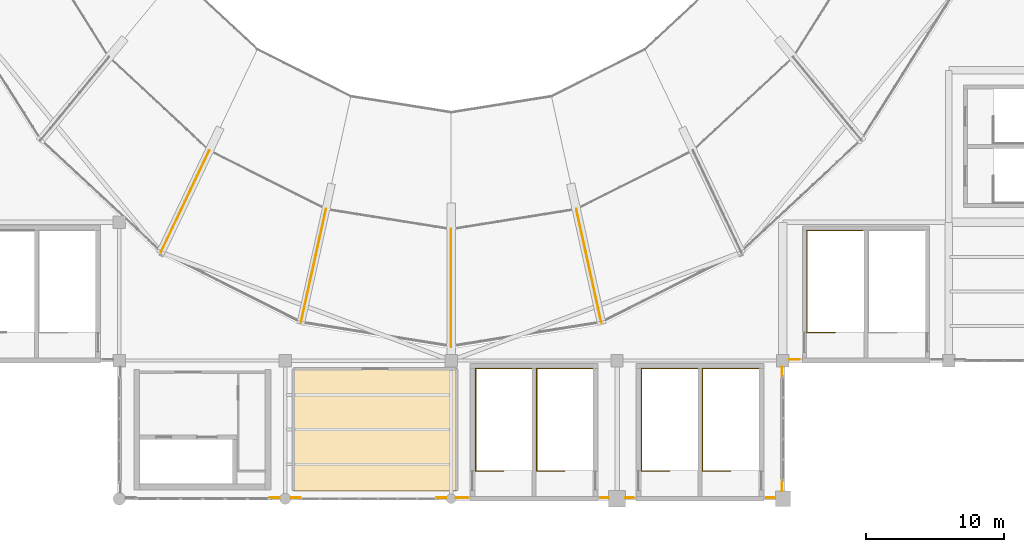
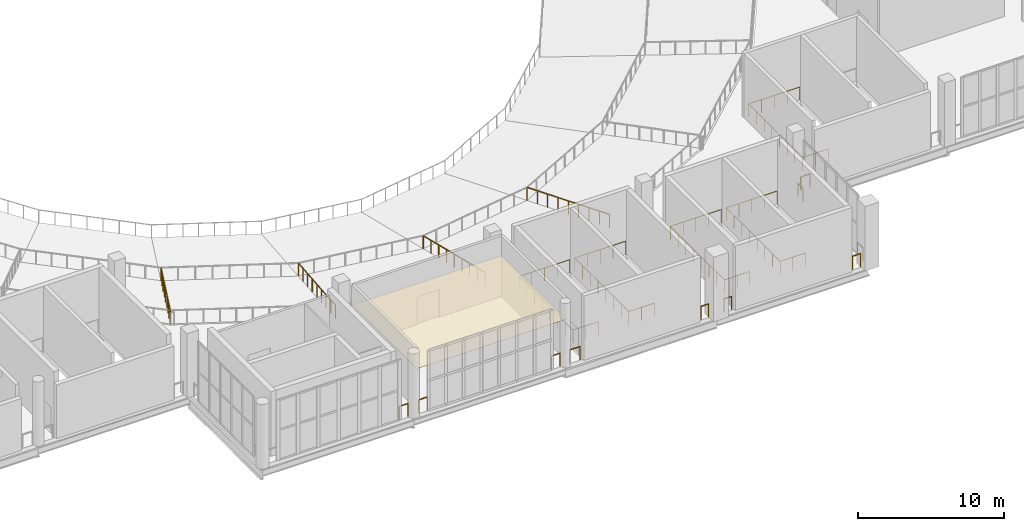
# One storey, part 65 of 74: 19 railings, 1 covering.
"""IFC4 building model written with IfcOpenShell, lengths in metres."""

from ifc_helpers import new_model, si_unit, direction, frame, origin, origin_2d, place, context, subcontext, project, spatial, polyline, circle, outline, extrude, material, layer, layer_set, type_object, element, save


model = new_model("IFC4")

# Units and contexts
model_context = context("Model", 3, precision=1e-05, world=origin(), true_north=direction((0.0, 1.0)))
body_context = subcontext(model_context, "Body", "Model", "MODEL_VIEW")
ifc_project = project(units=[si_unit("LENGTHUNIT", "METRE"), si_unit("AREAUNIT", "SQUARE_METRE"), si_unit("VOLUMEUNIT", "CUBIC_METRE"), si_unit("PLANEANGLEUNIT", "RADIAN"), si_unit("MASSUNIT", "GRAM", prefix="KILO")], contexts=[model_context])

# Site, building, storey
site_placement = place(None, origin())
site = spatial("IfcSite", under=ifc_project, at=site_placement, CompositionType="ELEMENT")
building_placement = place(site_placement, origin())
building = spatial("IfcBuilding", under=site, at=building_placement, Name="Brinegate Civic Arena", CompositionType="ELEMENT")
storey_placement = place(building_placement, frame((0.0, 0.0, 19.199951171875)))
storey = spatial("IfcBuildingStorey", under=building, at=storey_placement, Name="L04", CompositionType="ELEMENT", Elevation=19.199951171875)

# Covering
ifc_material_1 = material(Name="Acoustic perforated aluminium ceiling", Category="aluminium")
ifc_layer = layer(ifc_material_1, 0.02490234375, Name="Acoustic perforated aluminium ceiling")
ifc_layer_set = layer_set([ifc_layer], Name="Acoustic perforated aluminium ceiling")
covering_type = type_object("IfcCoveringType", Name="CEILING-ACOUSTIC-25", PredefinedType="CEILING", material=ifc_layer_set)
covering_placement = place(storey_placement, frame((0.0, 0.0, 3.324951171875)))
element("IfcCovering", 1, at=covering_placement, inside=storey, type_object=covering_type, Name="Acoustic Ceiling L04-003", PredefinedType="CEILING", context=body_context, shape_type="SweptSolid", body=[
    extrude(outline(polyline([(108.404052734375, 9.419921875), (108.406005859375, 9.4189453125), (108.407958984375, 9.41796875), (108.408935546875, 9.41796875), (108.410888671875, 9.4169921875), (108.4130859375, 9.4150390625), (108.4140625, 9.4140625), (108.4150390625, 9.4130859375), (108.4169921875, 9.410888671875), (108.41796875, 9.408935546875), (108.41796875, 9.407958984375), (108.4189453125, 9.406005859375), (108.419921875, 9.404052734375), (108.419921875, 9.402099609375), (108.419921875, 9.39990234375), (108.419921875, 0.60009765625), (108.419921875, 0.597900390625), (108.419921875, 0.595947265625), (108.4189453125, 0.593994140625), (108.41796875, 0.592041015625), (108.41796875, 0.591064453125), (108.4169921875, 0.589111328125), (108.4150390625, 0.5869140625), (108.4140625, 0.5859375), (108.4130859375, 0.5849609375), (108.410888671875, 0.5830078125), (108.408935546875, 0.58203125), (108.407958984375, 0.58203125), (108.406005859375, 0.5810546875), (108.404052734375, 0.580078125), (108.402099609375, 0.580078125), (108.39990234375, 0.580078125), (96.60009765625, 0.580078125), (96.597900390625, 0.580078125), (96.595947265625, 0.580078125), (96.593994140625, 0.5810546875), (96.592041015625, 0.58203125), (96.591064453125, 0.58203125), (96.589111328125, 0.5830078125), (96.5869140625, 0.5849609375), (96.5859375, 0.5859375), (96.5849609375, 0.5869140625), (96.5830078125, 0.589111328125), (96.58203125, 0.591064453125), (96.58203125, 0.592041015625), (96.5810546875, 0.593994140625), (96.580078125, 0.595947265625), (96.580078125, 0.597900390625), (96.580078125, 0.60009765625), (96.580078125, 9.39990234375), (96.580078125, 9.402099609375), (96.580078125, 9.404052734375), (96.5810546875, 9.406005859375), (96.58203125, 9.407958984375), (96.58203125, 9.408935546875), (96.5830078125, 9.410888671875), (96.5849609375, 9.4130859375), (96.5859375, 9.4140625), (96.5869140625, 9.4150390625), (96.589111328125, 9.4169921875), (96.591064453125, 9.41796875), (96.592041015625, 9.41796875), (96.593994140625, 9.4189453125), (96.595947265625, 9.419921875), (96.597900390625, 9.419921875), (96.60009765625, 9.419921875), (108.39990234375, 9.419921875), (108.402099609375, 9.419921875), (108.404052734375, 9.419921875)])), origin(), (0.0, 0.0, 1.0), 0.025146484375),
])

# Railings
ifc_material_2 = material(Name="Architectural stainless steel balustrade", Category="steel")
railing_type_1 = type_object("IfcRailingType", Name="RAIL-BOWL-BARRIER-1100", PredefinedType="GUARDRAIL", material=ifc_material_2)
railing_1_placement = place(storey_placement, frame((90.5, 25.194091796875, -2.074951171875)))
element("IfcRailing", 2, at=railing_1_placement, inside=storey, type_object=railing_type_1, Name="Upper Bowl Radial Aisle Guard RAD-17", PredefinedType="GUARDRAIL", context=body_context, shape_type="SweptSolid", body=[
    extrude(circle(Radius=0.02392578125, at=origin_2d()), frame((-0.000732421875, -0.001220703125, 1.096435546875), z_axis=(-0.416133336918, -0.8751978405, 0.246701815741), x_axis=(0.903111725779, -0.429405648263, 0.0)), (0.0, 0.0, 1.0), 8.40771484375),
    extrude(circle(Radius=0.02099609375, at=origin_2d()), origin(), (0.0, 0.0, 1.0), 1.070068359375),
    extrude(circle(Radius=0.02099609375, at=origin_2d()), frame((-0.4375, -0.920166015625, 0.25927734375)), (0.0, 0.0, 1.0), 1.070068359375),
    extrude(circle(Radius=0.02099609375, at=origin_2d()), frame((-0.875, -1.84033203125, 0.518798828125)), (0.0, 0.0, 1.0), 1.070068359375),
    extrude(circle(Radius=0.02099609375, at=origin_2d()), frame((-1.3125, -2.760498046875, 0.778076171875)), (0.0, 0.0, 1.0), 1.070068359375),
    extrude(circle(Radius=0.02099609375, at=origin_2d()), frame((-1.75, -3.6806640625, 1.03759765625)), (0.0, 0.0, 1.0), 1.070068359375),
    extrude(circle(Radius=0.02099609375, at=origin_2d()), frame((-2.1875, -4.6005859375, 1.296875)), (0.0, 0.0, 1.0), 1.070068359375),
    extrude(circle(Radius=0.02099609375, at=origin_2d()), frame((-2.625, -5.520751953125, 1.55615234375)), (0.0, 0.0, 1.0), 1.070068359375),
    extrude(circle(Radius=0.02099609375, at=origin_2d()), frame((-3.0625, -6.44091796875, 1.815673828125)), (0.0, 0.0, 1.0), 1.070068359375),
    extrude(circle(Radius=0.02099609375, at=origin_2d()), frame((-3.5, -7.361083984375, 2.074951171875)), (0.0, 0.0, 1.0), 1.070068359375),
])
railing_2_placement = place(storey_placement, frame((98.94091796875, 20.947998046875, -2.074951171875)))
element("IfcRailing", 3, at=railing_2_placement, inside=storey, type_object=railing_type_1, Name="Upper Bowl Radial Aisle Guard RAD-18", PredefinedType="GUARDRAIL", context=body_context, shape_type="SweptSolid", body=[
    extrude(circle(Radius=0.02392578125, at=origin_2d()), frame((-0.000244140625, -0.00146484375, 1.096435546875), z_axis=(-0.209136041651, -0.948075870674, 0.239612728228), x_axis=(0.976523414143, -0.215411284826, 0.0)), (0.0, 0.0, 1.0), 8.656494140625),
    extrude(circle(Radius=0.02099609375, at=origin_2d()), origin(), (0.0, 0.0, 1.0), 1.070068359375),
    extrude(circle(Radius=0.02099609375, at=origin_2d()), frame((-0.226318359375, -1.0263671875, 0.25927734375)), (0.0, 0.0, 1.0), 1.070068359375),
    extrude(circle(Radius=0.02099609375, at=origin_2d()), frame((-0.45263671875, -2.052490234375, 0.518798828125)), (0.0, 0.0, 1.0), 1.070068359375),
    extrude(circle(Radius=0.02099609375, at=origin_2d()), frame((-0.67919921875, -3.07861328125, 0.778076171875)), (0.0, 0.0, 1.0), 1.070068359375),
    extrude(circle(Radius=0.02099609375, at=origin_2d()), frame((-0.905517578125, -4.10498046875, 1.03759765625)), (0.0, 0.0, 1.0), 1.070068359375),
    extrude(circle(Radius=0.02099609375, at=origin_2d()), frame((-1.1318359375, -5.13134765625, 1.296875)), (0.0, 0.0, 1.0), 1.070068359375),
    extrude(circle(Radius=0.02099609375, at=origin_2d()), frame((-1.3583984375, -6.157470703125, 1.55615234375)), (0.0, 0.0, 1.0), 1.070068359375),
    extrude(circle(Radius=0.02099609375, at=origin_2d()), frame((-1.584716796875, -7.18359375, 1.815673828125)), (0.0, 0.0, 1.0), 1.070068359375),
    extrude(circle(Radius=0.02099609375, at=origin_2d()), frame((-1.81103515625, -8.2099609375, 2.074951171875)), (0.0, 0.0, 1.0), 1.070068359375),
])
railing_3_placement = place(storey_placement, frame((108.0, 19.5, -2.074951171875)))
element("IfcRailing", 4, at=railing_3_placement, inside=storey, type_object=railing_type_1, Name="Upper Bowl Radial Aisle Guard RAD-19", PredefinedType="GUARDRAIL", context=body_context, shape_type="SweptSolid", body=[
    extrude(circle(Radius=0.02392578125, at=origin_2d()), frame((0.0, -0.00146484375, 1.096435546875), z_axis=(0.0, -0.971473475219, 0.237148238335), x_axis=(1.0, 0.0, 0.0)), (0.0, 0.0, 1.0), 8.74658203125),
    extrude(circle(Radius=0.02099609375, at=origin_2d()), origin(), (0.0, 0.0, 1.0), 1.070068359375),
    extrude(circle(Radius=0.02099609375, at=origin_2d()), frame((0.0, -1.0625, 0.25927734375)), (0.0, 0.0, 1.0), 1.070068359375),
    extrude(circle(Radius=0.02099609375, at=origin_2d()), frame((0.0, -2.125, 0.518798828125)), (0.0, 0.0, 1.0), 1.070068359375),
    extrude(circle(Radius=0.02099609375, at=origin_2d()), frame((0.0, -3.1875, 0.778076171875)), (0.0, 0.0, 1.0), 1.070068359375),
    extrude(circle(Radius=0.02099609375, at=origin_2d()), frame((0.0, -4.25, 1.03759765625)), (0.0, 0.0, 1.0), 1.070068359375),
    extrude(circle(Radius=0.02099609375, at=origin_2d()), frame((0.0, -5.3125, 1.296875)), (0.0, 0.0, 1.0), 1.070068359375),
    extrude(circle(Radius=0.02099609375, at=origin_2d()), frame((0.0, -6.375, 1.55615234375)), (0.0, 0.0, 1.0), 1.070068359375),
    extrude(circle(Radius=0.02099609375, at=origin_2d()), frame((0.0, -7.4375, 1.815673828125)), (0.0, 0.0, 1.0), 1.070068359375),
    extrude(circle(Radius=0.02099609375, at=origin_2d()), frame((0.0, -8.5, 2.074951171875)), (0.0, 0.0, 1.0), 1.070068359375),
])
railing_4_placement = place(storey_placement, frame((117.05908203125, 20.947998046875, -2.074951171875)))
element("IfcRailing", 5, at=railing_4_placement, inside=storey, type_object=railing_type_1, Name="Upper Bowl Radial Aisle Guard RAD-20", PredefinedType="GUARDRAIL", context=body_context, shape_type="SweptSolid", body=[
    extrude(circle(Radius=0.02392578125, at=origin_2d()), frame((0.000244140625, -0.00146484375, 1.096435546875), z_axis=(0.209136041651, -0.948075870674, 0.239612728228), x_axis=(0.976523414143, 0.215411284826, 0.0)), (0.0, 0.0, 1.0), 8.656494140625),
    extrude(circle(Radius=0.02099609375, at=origin_2d()), origin(), (0.0, 0.0, 1.0), 1.070068359375),
    extrude(circle(Radius=0.02099609375, at=origin_2d()), frame((0.226318359375, -1.0263671875, 0.25927734375)), (0.0, 0.0, 1.0), 1.070068359375),
    extrude(circle(Radius=0.02099609375, at=origin_2d()), frame((0.45263671875, -2.052490234375, 0.518798828125)), (0.0, 0.0, 1.0), 1.070068359375),
    extrude(circle(Radius=0.02099609375, at=origin_2d()), frame((0.67919921875, -3.07861328125, 0.778076171875)), (0.0, 0.0, 1.0), 1.070068359375),
    extrude(circle(Radius=0.02099609375, at=origin_2d()), frame((0.905517578125, -4.10498046875, 1.03759765625)), (0.0, 0.0, 1.0), 1.070068359375),
    extrude(circle(Radius=0.02099609375, at=origin_2d()), frame((1.1318359375, -5.13134765625, 1.296875)), (0.0, 0.0, 1.0), 1.070068359375),
    extrude(circle(Radius=0.02099609375, at=origin_2d()), frame((1.3583984375, -6.157470703125, 1.55615234375)), (0.0, 0.0, 1.0), 1.070068359375),
    extrude(circle(Radius=0.02099609375, at=origin_2d()), frame((1.584716796875, -7.18359375, 1.815673828125)), (0.0, 0.0, 1.0), 1.070068359375),
    extrude(circle(Radius=0.02099609375, at=origin_2d()), frame((1.81103515625, -8.2099609375, 2.074951171875)), (0.0, 0.0, 1.0), 1.070068359375),
])
railing_type_2 = type_object("IfcRailingType", Name="RAIL-STAIR-GUARD-1100", PredefinedType="GUARDRAIL", material=ifc_material_2)
railing_5_placement = place(storey_placement, frame((123.7900390625, 2.02001953125, 0.0)))
element("IfcRailing", 6, at=railing_5_placement, inside=storey, type_object=railing_type_2, Name="Top Stairwell Edge Guard ST-04A L04", PredefinedType="GUARDRAIL", context=body_context, shape_type="SweptSolid", body=[
    extrude(circle(Radius=0.02392578125, at=origin_2d()), frame((-0.00146484375, 0.0, 1.09619140625), z_axis=(-1.0, 0.0, 0.0), x_axis=(0.0, -1.0, 0.0)), (0.0, 0.0, 1.0), 2.01220703125),
    extrude(circle(Radius=0.02392578125, at=origin_2d()), frame((-2.01513671875, 0.00146484375, 1.09619140625), z_axis=(0.0, 1.0, 0.0), x_axis=(-1.0, 0.0, 0.0)), (0.0, 0.0, 1.0), 7.39697265625),
    extrude(circle(Radius=0.02392578125, at=origin_2d()), frame((-2.013671875, 7.39990234375, 1.09619140625), z_axis=(1.0, 0.0, 0.0), x_axis=(0.0, 1.0, 0.0)), (0.0, 0.0, 1.0), 4.027099609375),
    extrude(circle(Radius=0.02099609375, at=origin_2d()), origin(), (0.0, 0.0, 1.0), 1.070068359375),
    extrude(circle(Radius=0.02099609375, at=origin_2d()), frame((-1.007568359375, 0.0, 0.0)), (0.0, 0.0, 1.0), 1.070068359375),
    extrude(circle(Radius=0.02099609375, at=origin_2d()), frame((-2.01513671875, 0.0, 0.0)), (0.0, 0.0, 1.0), 1.070068359375),
    extrude(circle(Radius=0.02099609375, at=origin_2d()), frame((-2.01513671875, 1.05712890625, 0.0)), (0.0, 0.0, 1.0), 1.070068359375),
    extrude(circle(Radius=0.02099609375, at=origin_2d()), frame((-2.01513671875, 2.1142578125, 0.0)), (0.0, 0.0, 1.0), 1.070068359375),
    extrude(circle(Radius=0.02099609375, at=origin_2d()), frame((-2.01513671875, 3.17138671875, 0.0)), (0.0, 0.0, 1.0), 1.070068359375),
    extrude(circle(Radius=0.02099609375, at=origin_2d()), frame((-2.01513671875, 4.228515625, 0.0)), (0.0, 0.0, 1.0), 1.070068359375),
    extrude(circle(Radius=0.02099609375, at=origin_2d()), frame((-2.01513671875, 5.28564453125, 0.0)), (0.0, 0.0, 1.0), 1.070068359375),
    extrude(circle(Radius=0.02099609375, at=origin_2d()), frame((-2.01513671875, 6.3427734375, 0.0)), (0.0, 0.0, 1.0), 1.070068359375),
    extrude(circle(Radius=0.02099609375, at=origin_2d()), frame((-2.01513671875, 7.39990234375, 0.0)), (0.0, 0.0, 1.0), 1.070068359375),
    extrude(circle(Radius=0.02099609375, at=origin_2d()), frame((-1.007568359375, 7.39990234375, 0.0)), (0.0, 0.0, 1.0), 1.070068359375),
    extrude(circle(Radius=0.02099609375, at=origin_2d()), frame((0.0, 7.39990234375, 0.0)), (0.0, 0.0, 1.0), 1.070068359375),
    extrude(circle(Radius=0.02099609375, at=origin_2d()), frame((1.00732421875, 7.39990234375, 0.0)), (0.0, 0.0, 1.0), 1.070068359375),
    extrude(circle(Radius=0.02099609375, at=origin_2d()), frame((2.014892578125, 7.39990234375, 0.0)), (0.0, 0.0, 1.0), 1.070068359375),
])
railing_6_placement = place(storey_placement, frame((128.2099609375, 2.02001953125, 0.0)))
element("IfcRailing", 7, at=railing_6_placement, inside=storey, type_object=railing_type_2, Name="Top Stairwell Edge Guard ST-04B L04", PredefinedType="GUARDRAIL", context=body_context, shape_type="SweptSolid", body=[
    extrude(circle(Radius=0.02392578125, at=origin_2d()), frame((-0.00146484375, 0.0, 1.09619140625), z_axis=(-1.0, 0.0, 0.0), x_axis=(0.0, -1.0, 0.0)), (0.0, 0.0, 1.0), 2.011962890625),
    extrude(circle(Radius=0.02392578125, at=origin_2d()), frame((-2.014892578125, 0.00146484375, 1.09619140625), z_axis=(0.0, 1.0, 0.0), x_axis=(-1.0, 0.0, 0.0)), (0.0, 0.0, 1.0), 7.39697265625),
    extrude(circle(Radius=0.02392578125, at=origin_2d()), frame((-2.013427734375, 7.39990234375, 1.09619140625), z_axis=(1.0, 0.0, 0.0), x_axis=(0.0, 1.0, 0.0)), (0.0, 0.0, 1.0), 4.027099609375),
    extrude(circle(Radius=0.02099609375, at=origin_2d()), origin(), (0.0, 0.0, 1.0), 1.070068359375),
    extrude(circle(Radius=0.02099609375, at=origin_2d()), frame((-1.00732421875, 0.0, 0.0)), (0.0, 0.0, 1.0), 1.070068359375),
    extrude(circle(Radius=0.02099609375, at=origin_2d()), frame((-2.014892578125, 0.0, 0.0)), (0.0, 0.0, 1.0), 1.070068359375),
    extrude(circle(Radius=0.02099609375, at=origin_2d()), frame((-2.014892578125, 1.05712890625, 0.0)), (0.0, 0.0, 1.0), 1.070068359375),
    extrude(circle(Radius=0.02099609375, at=origin_2d()), frame((-2.014892578125, 2.1142578125, 0.0)), (0.0, 0.0, 1.0), 1.070068359375),
    extrude(circle(Radius=0.02099609375, at=origin_2d()), frame((-2.014892578125, 3.17138671875, 0.0)), (0.0, 0.0, 1.0), 1.070068359375),
    extrude(circle(Radius=0.02099609375, at=origin_2d()), frame((-2.014892578125, 4.228515625, 0.0)), (0.0, 0.0, 1.0), 1.070068359375),
    extrude(circle(Radius=0.02099609375, at=origin_2d()), frame((-2.014892578125, 5.28564453125, 0.0)), (0.0, 0.0, 1.0), 1.070068359375),
    extrude(circle(Radius=0.02099609375, at=origin_2d()), frame((-2.014892578125, 6.3427734375, 0.0)), (0.0, 0.0, 1.0), 1.070068359375),
    extrude(circle(Radius=0.02099609375, at=origin_2d()), frame((-2.014892578125, 7.39990234375, 0.0)), (0.0, 0.0, 1.0), 1.070068359375),
    extrude(circle(Radius=0.02099609375, at=origin_2d()), frame((-1.00732421875, 7.39990234375, 0.0)), (0.0, 0.0, 1.0), 1.070068359375),
    extrude(circle(Radius=0.02099609375, at=origin_2d()), frame((0.0, 7.39990234375, 0.0)), (0.0, 0.0, 1.0), 1.070068359375),
    extrude(circle(Radius=0.02099609375, at=origin_2d()), frame((1.007568359375, 7.39990234375, 0.0)), (0.0, 0.0, 1.0), 1.070068359375),
    extrude(circle(Radius=0.02099609375, at=origin_2d()), frame((2.01513671875, 7.39990234375, 0.0)), (0.0, 0.0, 1.0), 1.070068359375),
])
railing_7_placement = place(storey_placement, frame((135.77490234375, 12.02001953125, 0.0)))
element("IfcRailing", 8, at=railing_7_placement, inside=storey, type_object=railing_type_2, Name="Top Stairwell Edge Guard ST-14A L04", PredefinedType="GUARDRAIL", context=body_context, shape_type="SweptSolid", body=[
    extrude(circle(Radius=0.02392578125, at=origin_2d()), frame((-0.00146484375, 0.0, 1.09619140625), z_axis=(-1.0, 0.0, 0.0), x_axis=(0.0, -1.0, 0.0)), (0.0, 0.0, 1.0), 2.02685546875),
    extrude(circle(Radius=0.02392578125, at=origin_2d()), frame((-2.02978515625, 0.00146484375, 1.09619140625), z_axis=(0.0, 1.0, 0.0), x_axis=(-1.0, 0.0, 0.0)), (0.0, 0.0, 1.0), 7.39697265625),
    extrude(circle(Radius=0.02392578125, at=origin_2d()), frame((-2.0283203125, 7.39990234375, 1.09619140625), z_axis=(1.0, 0.0, 0.0), x_axis=(0.0, 1.0, 0.0)), (0.0, 0.0, 1.0), 4.056884765625),
    extrude(circle(Radius=0.02099609375, at=origin_2d()), origin(), (0.0, 0.0, 1.0), 1.070068359375),
    extrude(circle(Radius=0.02099609375, at=origin_2d()), frame((-1.014892578125, 0.0, 0.0)), (0.0, 0.0, 1.0), 1.070068359375),
    extrude(circle(Radius=0.02099609375, at=origin_2d()), frame((-2.02978515625, 0.0, 0.0)), (0.0, 0.0, 1.0), 1.070068359375),
    extrude(circle(Radius=0.02099609375, at=origin_2d()), frame((-2.02978515625, 1.05712890625, 0.0)), (0.0, 0.0, 1.0), 1.070068359375),
    extrude(circle(Radius=0.02099609375, at=origin_2d()), frame((-2.02978515625, 2.1142578125, 0.0)), (0.0, 0.0, 1.0), 1.070068359375),
    extrude(circle(Radius=0.02099609375, at=origin_2d()), frame((-2.02978515625, 3.17138671875, 0.0)), (0.0, 0.0, 1.0), 1.070068359375),
    extrude(circle(Radius=0.02099609375, at=origin_2d()), frame((-2.02978515625, 4.228515625, 0.0)), (0.0, 0.0, 1.0), 1.070068359375),
    extrude(circle(Radius=0.02099609375, at=origin_2d()), frame((-2.02978515625, 5.28564453125, 0.0)), (0.0, 0.0, 1.0), 1.070068359375),
    extrude(circle(Radius=0.02099609375, at=origin_2d()), frame((-2.02978515625, 6.3427734375, 0.0)), (0.0, 0.0, 1.0), 1.070068359375),
    extrude(circle(Radius=0.02099609375, at=origin_2d()), frame((-2.02978515625, 7.39990234375, 0.0)), (0.0, 0.0, 1.0), 1.070068359375),
    extrude(circle(Radius=0.02099609375, at=origin_2d()), frame((-1.014892578125, 7.39990234375, 0.0)), (0.0, 0.0, 1.0), 1.070068359375),
    extrude(circle(Radius=0.02099609375, at=origin_2d()), frame((0.0, 7.39990234375, 0.0)), (0.0, 0.0, 1.0), 1.070068359375),
    extrude(circle(Radius=0.02099609375, at=origin_2d()), frame((1.01513671875, 7.39990234375, 0.0)), (0.0, 0.0, 1.0), 1.070068359375),
    extrude(circle(Radius=0.02099609375, at=origin_2d()), frame((2.030029296875, 7.39990234375, 0.0)), (0.0, 0.0, 1.0), 1.070068359375),
])
railing_8_placement = place(storey_placement, frame((111.7900390625, 2.02001953125, 0.0)))
element("IfcRailing", 9, at=railing_8_placement, inside=storey, type_object=railing_type_2, Name="Top Stairwell Edge Guard ST-16A L04", PredefinedType="GUARDRAIL", context=body_context, shape_type="SweptSolid", body=[
    extrude(circle(Radius=0.02392578125, at=origin_2d()), frame((-0.00146484375, 0.0, 1.09619140625), z_axis=(-1.0, 0.0, 0.0), x_axis=(0.0, -1.0, 0.0)), (0.0, 0.0, 1.0), 2.01220703125),
    extrude(circle(Radius=0.02392578125, at=origin_2d()), frame((-2.01513671875, 0.00146484375, 1.09619140625), z_axis=(0.0, 1.0, 0.0), x_axis=(-1.0, 0.0, 0.0)), (0.0, 0.0, 1.0), 7.39697265625),
    extrude(circle(Radius=0.02392578125, at=origin_2d()), frame((-2.013671875, 7.39990234375, 1.09619140625), z_axis=(1.0, 0.0, 0.0), x_axis=(0.0, 1.0, 0.0)), (0.0, 0.0, 1.0), 4.027099609375),
    extrude(circle(Radius=0.02099609375, at=origin_2d()), origin(), (0.0, 0.0, 1.0), 1.070068359375),
    extrude(circle(Radius=0.02099609375, at=origin_2d()), frame((-1.007568359375, 0.0, 0.0)), (0.0, 0.0, 1.0), 1.070068359375),
    extrude(circle(Radius=0.02099609375, at=origin_2d()), frame((-2.01513671875, 0.0, 0.0)), (0.0, 0.0, 1.0), 1.070068359375),
    extrude(circle(Radius=0.02099609375, at=origin_2d()), frame((-2.01513671875, 1.05712890625, 0.0)), (0.0, 0.0, 1.0), 1.070068359375),
    extrude(circle(Radius=0.02099609375, at=origin_2d()), frame((-2.01513671875, 2.1142578125, 0.0)), (0.0, 0.0, 1.0), 1.070068359375),
    extrude(circle(Radius=0.02099609375, at=origin_2d()), frame((-2.01513671875, 3.17138671875, 0.0)), (0.0, 0.0, 1.0), 1.070068359375),
    extrude(circle(Radius=0.02099609375, at=origin_2d()), frame((-2.01513671875, 4.228515625, 0.0)), (0.0, 0.0, 1.0), 1.070068359375),
    extrude(circle(Radius=0.02099609375, at=origin_2d()), frame((-2.01513671875, 5.28564453125, 0.0)), (0.0, 0.0, 1.0), 1.070068359375),
    extrude(circle(Radius=0.02099609375, at=origin_2d()), frame((-2.01513671875, 6.3427734375, 0.0)), (0.0, 0.0, 1.0), 1.070068359375),
    extrude(circle(Radius=0.02099609375, at=origin_2d()), frame((-2.01513671875, 7.39990234375, 0.0)), (0.0, 0.0, 1.0), 1.070068359375),
    extrude(circle(Radius=0.02099609375, at=origin_2d()), frame((-1.007568359375, 7.39990234375, 0.0)), (0.0, 0.0, 1.0), 1.070068359375),
    extrude(circle(Radius=0.02099609375, at=origin_2d()), frame((0.0, 7.39990234375, 0.0)), (0.0, 0.0, 1.0), 1.070068359375),
    extrude(circle(Radius=0.02099609375, at=origin_2d()), frame((1.00732421875, 7.39990234375, 0.0)), (0.0, 0.0, 1.0), 1.070068359375),
    extrude(circle(Radius=0.02099609375, at=origin_2d()), frame((2.014892578125, 7.39990234375, 0.0)), (0.0, 0.0, 1.0), 1.070068359375),
])
railing_9_placement = place(storey_placement, frame((116.2099609375, 2.02001953125, 0.0)))
element("IfcRailing", 10, at=railing_9_placement, inside=storey, type_object=railing_type_2, Name="Top Stairwell Edge Guard ST-16B L04", PredefinedType="GUARDRAIL", context=body_context, shape_type="SweptSolid", body=[
    extrude(circle(Radius=0.02392578125, at=origin_2d()), frame((-0.00146484375, 0.0, 1.09619140625), z_axis=(-1.0, 0.0, 0.0), x_axis=(0.0, -1.0, 0.0)), (0.0, 0.0, 1.0), 2.011962890625),
    extrude(circle(Radius=0.02392578125, at=origin_2d()), frame((-2.014892578125, 0.00146484375, 1.09619140625), z_axis=(0.0, 1.0, 0.0), x_axis=(-1.0, 0.0, 0.0)), (0.0, 0.0, 1.0), 7.39697265625),
    extrude(circle(Radius=0.02392578125, at=origin_2d()), frame((-2.013427734375, 7.39990234375, 1.09619140625), z_axis=(1.0, 0.0, 0.0), x_axis=(0.0, 1.0, 0.0)), (0.0, 0.0, 1.0), 4.027099609375),
    extrude(circle(Radius=0.02099609375, at=origin_2d()), origin(), (0.0, 0.0, 1.0), 1.070068359375),
    extrude(circle(Radius=0.02099609375, at=origin_2d()), frame((-1.00732421875, 0.0, 0.0)), (0.0, 0.0, 1.0), 1.070068359375),
    extrude(circle(Radius=0.02099609375, at=origin_2d()), frame((-2.014892578125, 0.0, 0.0)), (0.0, 0.0, 1.0), 1.070068359375),
    extrude(circle(Radius=0.02099609375, at=origin_2d()), frame((-2.014892578125, 1.05712890625, 0.0)), (0.0, 0.0, 1.0), 1.070068359375),
    extrude(circle(Radius=0.02099609375, at=origin_2d()), frame((-2.014892578125, 2.1142578125, 0.0)), (0.0, 0.0, 1.0), 1.070068359375),
    extrude(circle(Radius=0.02099609375, at=origin_2d()), frame((-2.014892578125, 3.17138671875, 0.0)), (0.0, 0.0, 1.0), 1.070068359375),
    extrude(circle(Radius=0.02099609375, at=origin_2d()), frame((-2.014892578125, 4.228515625, 0.0)), (0.0, 0.0, 1.0), 1.070068359375),
    extrude(circle(Radius=0.02099609375, at=origin_2d()), frame((-2.014892578125, 5.28564453125, 0.0)), (0.0, 0.0, 1.0), 1.070068359375),
    extrude(circle(Radius=0.02099609375, at=origin_2d()), frame((-2.014892578125, 6.3427734375, 0.0)), (0.0, 0.0, 1.0), 1.070068359375),
    extrude(circle(Radius=0.02099609375, at=origin_2d()), frame((-2.014892578125, 7.39990234375, 0.0)), (0.0, 0.0, 1.0), 1.070068359375),
    extrude(circle(Radius=0.02099609375, at=origin_2d()), frame((-1.00732421875, 7.39990234375, 0.0)), (0.0, 0.0, 1.0), 1.070068359375),
    extrude(circle(Radius=0.02099609375, at=origin_2d()), frame((0.0, 7.39990234375, 0.0)), (0.0, 0.0, 1.0), 1.070068359375),
    extrude(circle(Radius=0.02099609375, at=origin_2d()), frame((1.007568359375, 7.39990234375, 0.0)), (0.0, 0.0, 1.0), 1.070068359375),
    extrude(circle(Radius=0.02099609375, at=origin_2d()), frame((2.01513671875, 7.39990234375, 0.0)), (0.0, 0.0, 1.0), 1.070068359375),
])
railing_type_3 = type_object("IfcRailingType", Name="RAIL-VOID-BALUSTRADE-1120", PredefinedType="BALUSTRADE", material=ifc_material_2)
railing_10_placement = place(storey_placement, frame((133.199951171875, 10.070068359375, 0.0)))
element("IfcRailing", 11, at=railing_10_placement, inside=storey, type_object=railing_type_3, Name="Deck Edge Balustrade L04-364", PredefinedType="BALUSTRADE", context=body_context, shape_type="SweptSolid", body=[
    extrude(circle(Radius=0.02392578125, at=origin_2d()), frame((-0.00146484375, 0.0, 1.09619140625), z_axis=(-1.0, 0.0, 0.0), x_axis=(0.0, -1.0, 0.0)), (0.0, 0.0, 1.0), 0.72705078125),
    extrude(circle(Radius=0.02099609375, at=origin_2d()), origin(), (0.0, 0.0, 1.0), 1.070068359375),
    extrude(circle(Radius=0.02099609375, at=origin_2d()), frame((-0.72998046875, 0.0, 0.0)), (0.0, 0.0, 1.0), 1.070068359375),
])
railing_11_placement = place(storey_placement, frame((131.929931640625, 9.530029296875, 0.0)))
element("IfcRailing", 12, at=railing_11_placement, inside=storey, type_object=railing_type_3, Name="Deck Edge Balustrade L04-365", PredefinedType="BALUSTRADE", context=body_context, shape_type="SweptSolid", body=[
    extrude(circle(Radius=0.02392578125, at=origin_2d()), frame((0.0, -0.00146484375, 1.09619140625), z_axis=(0.0, -1.0, 0.0), x_axis=(1.0, 0.0, 0.0)), (0.0, 0.0, 1.0), 0.713134765625),
    extrude(circle(Radius=0.02099609375, at=origin_2d()), origin(), (0.0, 0.0, 1.0), 1.070068359375),
    extrude(circle(Radius=0.02099609375, at=origin_2d()), frame((0.0, -0.716064453125, 0.0)), (0.0, 0.0, 1.0), 1.070068359375),
])
railing_12_placement = place(storey_placement, frame((131.929931640625, 1.327880859375, 0.0)))
element("IfcRailing", 13, at=railing_12_placement, inside=storey, type_object=railing_type_3, Name="Deck Edge Balustrade L04-366", PredefinedType="BALUSTRADE", context=body_context, shape_type="SweptSolid", body=[
    extrude(circle(Radius=0.02392578125, at=origin_2d()), frame((0.0, -0.00146484375, 1.09619140625), z_axis=(0.0, -1.0, 0.0), x_axis=(1.0, 0.0, 0.0)), (0.0, 0.0, 1.0), 0.7548828125),
    extrude(circle(Radius=0.02099609375, at=origin_2d()), origin(), (0.0, 0.0, 1.0), 1.070068359375),
    extrude(circle(Radius=0.02099609375, at=origin_2d()), frame((0.0, -0.7578125, 0.0)), (0.0, 0.0, 1.0), 1.070068359375),
])
railing_13_placement = place(storey_placement, frame((131.429931640625, 0.070068359375, 0.0)))
element("IfcRailing", 14, at=railing_13_placement, inside=storey, type_object=railing_type_3, Name="Deck Edge Balustrade L04-367", PredefinedType="BALUSTRADE", context=body_context, shape_type="SweptSolid", body=[
    extrude(circle(Radius=0.02392578125, at=origin_2d()), frame((-0.00146484375, 0.0, 1.09619140625), z_axis=(-1.0, 0.0, 0.0), x_axis=(0.0, -1.0, 0.0)), (0.0, 0.0, 1.0), 0.626953125),
    extrude(circle(Radius=0.02099609375, at=origin_2d()), origin(), (0.0, 0.0, 1.0), 1.070068359375),
    extrude(circle(Radius=0.02099609375, at=origin_2d()), frame((-0.6298828125, 0.0, 0.0)), (0.0, 0.0, 1.0), 1.070068359375),
])
for number, where, name in (
    (15, (121.199951171875, 0.070068359375, 0.0), "Deck Edge Balustrade L04-368"),
    (16, (119.3798828125, 0.070068359375, 0.0), "Deck Edge Balustrade L04-369"),
):
    element("IfcRailing", number, at=place(storey_placement, frame(where)), inside=storey, type_object=railing_type_3, Name=name, PredefinedType="BALUSTRADE", context=body_context, shape_type="SweptSolid", body=[
        extrude(circle(Radius=0.02392578125, at=origin_2d()), frame((-0.00146484375, 0.0, 1.09619140625), z_axis=(-1.0, 0.0, 0.0), x_axis=(0.0, -1.0, 0.0)), (0.0, 0.0, 1.0), 0.576904296875),
        extrude(circle(Radius=0.02099609375, at=origin_2d()), origin(), (0.0, 0.0, 1.0), 1.070068359375),
        extrude(circle(Radius=0.02099609375, at=origin_2d()), frame((-0.579833984375, 0.0, 0.0)), (0.0, 0.0, 1.0), 1.070068359375),
    ])
railing_14_placement = place(storey_placement, frame((109.199951171875, 0.070068359375, 0.0)))
element("IfcRailing", 17, at=railing_14_placement, inside=storey, type_object=railing_type_3, Name="Deck Edge Balustrade L04-370", PredefinedType="BALUSTRADE", context=body_context, shape_type="SweptSolid", body=[
    extrude(circle(Radius=0.02392578125, at=origin_2d()), frame((-0.00146484375, 0.0, 1.09619140625), z_axis=(-1.0, 0.0, 0.0), x_axis=(0.0, -1.0, 0.0)), (0.0, 0.0, 1.0), 0.826904296875),
    extrude(circle(Radius=0.02099609375, at=origin_2d()), origin(), (0.0, 0.0, 1.0), 1.070068359375),
    extrude(circle(Radius=0.02099609375, at=origin_2d()), frame((-0.829833984375, 0.0, 0.0)), (0.0, 0.0, 1.0), 1.070068359375),
])
railing_15_placement = place(storey_placement, frame((107.6298828125, 0.070068359375, 0.0)))
element("IfcRailing", 18, at=railing_15_placement, inside=storey, type_object=railing_type_3, Name="Deck Edge Balustrade L04-371", PredefinedType="BALUSTRADE", context=body_context, shape_type="SweptSolid", body=[
    extrude(circle(Radius=0.02392578125, at=origin_2d()), frame((-0.00146484375, 0.0, 1.09619140625), z_axis=(-1.0, 0.0, 0.0), x_axis=(0.0, -1.0, 0.0)), (0.0, 0.0, 1.0), 0.671875),
    extrude(circle(Radius=0.02099609375, at=origin_2d()), origin(), (0.0, 0.0, 1.0), 1.070068359375),
    extrude(circle(Radius=0.02099609375, at=origin_2d()), frame((-0.6748046875, 0.0, 0.0)), (0.0, 0.0, 1.0), 1.070068359375),
])
for number, where, name in (
    (19, (97.115966796875, 0.070068359375, 0.0), "Deck Edge Balustrade L04-372"),
    (20, (95.580078125, 0.070068359375, 0.0), "Deck Edge Balustrade L04-373"),
):
    element("IfcRailing", number, at=place(storey_placement, frame(where)), inside=storey, type_object=railing_type_3, Name=name, PredefinedType="BALUSTRADE", context=body_context, shape_type="SweptSolid", body=[
        extrude(circle(Radius=0.02392578125, at=origin_2d()), frame((-0.00146484375, 0.0, 1.09619140625), z_axis=(-1.0, 0.0, 0.0), x_axis=(0.0, -1.0, 0.0)), (0.0, 0.0, 1.0), 0.693115234375),
        extrude(circle(Radius=0.02099609375, at=origin_2d()), origin(), (0.0, 0.0, 1.0), 1.070068359375),
        extrude(circle(Radius=0.02099609375, at=origin_2d()), frame((-0.696044921875, 0.0, 0.0)), (0.0, 0.0, 1.0), 1.070068359375),
    ])

save(model, "model.ifc")
